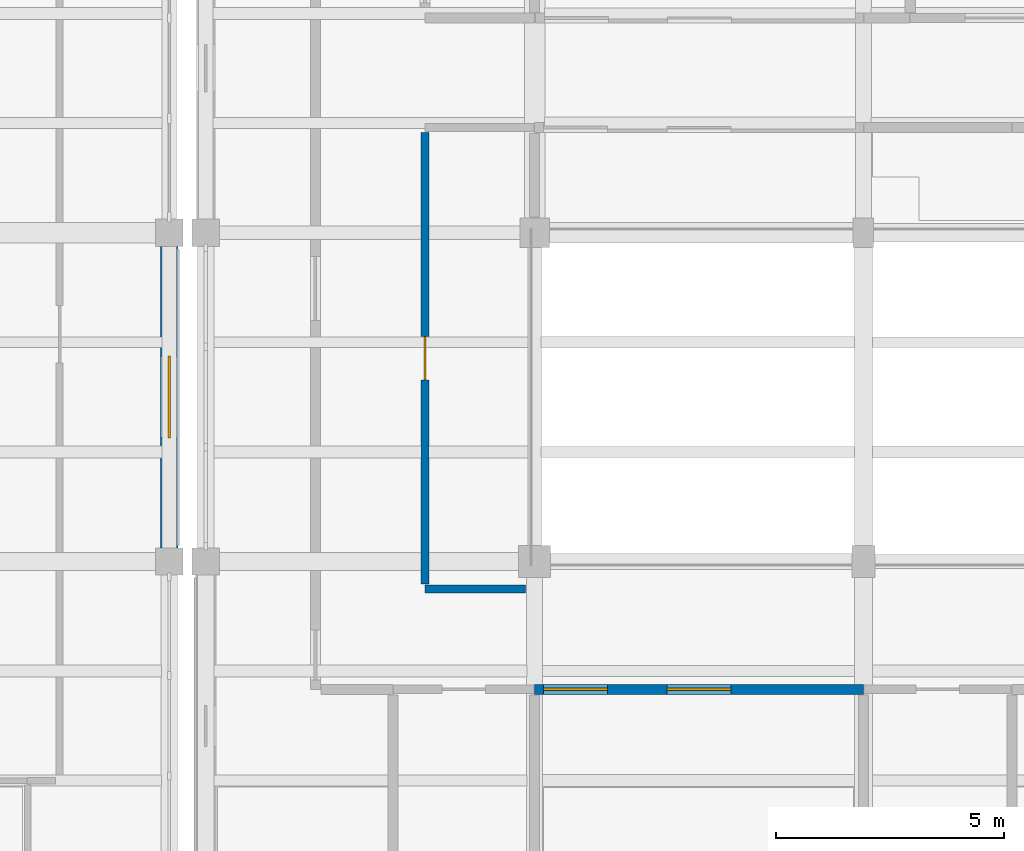
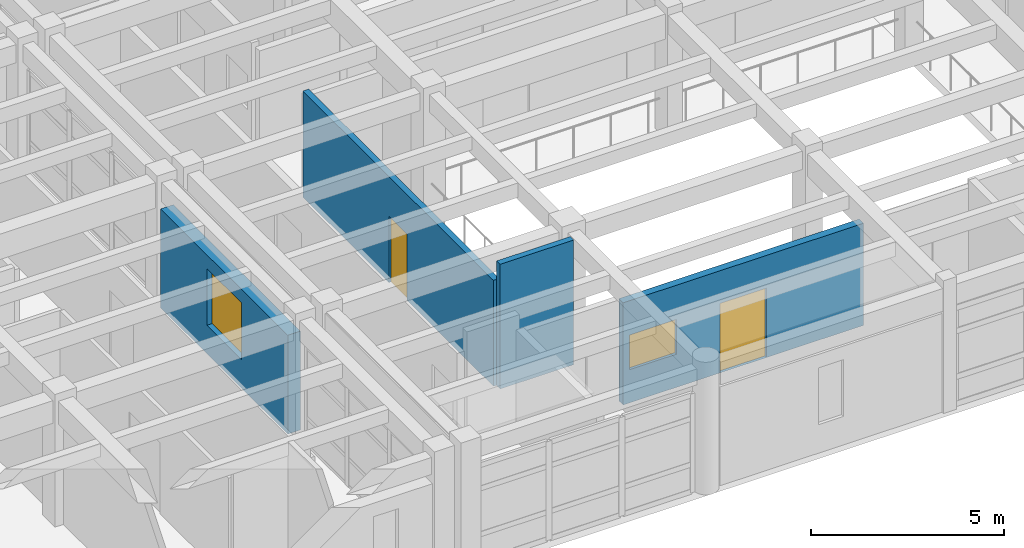
# One storey, part 82 of 110: 4 walls, 2 doors, 2 windows, 4 openings.
"""IFC4 building model written with IfcOpenShell, lengths in metres."""

from ifc_helpers import new_model, si_unit, direction, frame, frame_2d, origin, place, context, subcontext, project, spatial, rectangle, extrude, material, layer, layer_set, type_object, element, fill, save


model = new_model("IFC4")

# Units and contexts
model_context = context("Model", 3, precision=1e-05, world=origin(), true_north=direction((0.0, 1.0)))
body_context = subcontext(model_context, "Body", "Model", "MODEL_VIEW")
ifc_project = project(units=[si_unit("LENGTHUNIT", "METRE"), si_unit("AREAUNIT", "SQUARE_METRE"), si_unit("VOLUMEUNIT", "CUBIC_METRE"), si_unit("PLANEANGLEUNIT", "RADIAN"), si_unit("MASSUNIT", "GRAM", prefix="KILO")], contexts=[model_context])

# Site, building, storey
site_placement = place(None, origin())
site = spatial("IfcSite", under=ifc_project, at=site_placement, CompositionType="ELEMENT")
building_placement = place(site_placement, origin())
building = spatial("IfcBuilding", under=site, at=building_placement, Name="Steenspoor Specialist Clinic", CompositionType="ELEMENT")
storey_placement = place(building_placement, frame((0.0, 0.0, 4.800048828125)))
storey = spatial("IfcBuildingStorey", under=building, at=storey_placement, Name="L01", CompositionType="ELEMENT", Elevation=4.800048828125)

# Wall, opening, window
ifc_material_1 = material(Name="Extruded clay brick masonry", Category="masonry")
ifc_layer_1 = layer(ifc_material_1, 0.3798828125)
ifc_layer_set_1 = layer_set([ifc_layer_1], Name="Extruded clay brick masonry")
wall_type_1 = type_object("IfcWallType", Name="W-BRICK-380", PredefinedType="USERDEFINED", material=ifc_layer_set_1)
wall_1_placement = place(storey_placement, frame((117.199951171875, 79.25, 0.0), z_axis=(0.0, 0.0, 1.0), x_axis=(0.0, -1.0, 0.0)))
wall_1 = element("IfcWall", 1, at=wall_1_placement, inside=storey, type_object=wall_type_1, Name="Exterior Brick Wall EW-V4-L01-0129", ObjectType="CAVITY VENEER", PredefinedType="USERDEFINED", context=body_context, shape_type="SweptSolid", body=[
    extrude(rectangle(XDim=6.60009765625, YDim=0.3798828125, at=frame_2d((3.300048828125, 0.0))), origin(), (0.0, 0.0, 1.0), 3.1298828125),
])
opening_1_placement = place(wall_1_placement, frame((2.39990234375, 0.0, 0.89990234375)))
opening_1 = element("IfcOpeningElement", 2, at=opening_1_placement, cuts=wall_1, Name="Opening WN-08", PredefinedType="OPENING", context=body_context, shape_type="SweptSolid", body=[
    extrude(rectangle(XDim=1.800048828125, YDim=1.800048828125, at=frame_2d((0.89990234375, 0.89990234375))), frame((0.0, 0.199951171875, 0.0), z_axis=(0.0, -1.0, 0.0), x_axis=(1.0, 0.0, 0.0)), (0.0, 0.0, 1.0), 0.39990234375),
])
ifc_material_2 = material(Name="Thermally broken aluminium and low-emissivity glass", Category="aluminium")
window_type_1 = type_object("IfcWindowType", Name="WN-EXT-180X180", PartitioningType="SINGLE_PANEL", PredefinedType="WINDOW", material=ifc_material_2)
window_1_placement = place(opening_1_placement, origin())
window_1 = element("IfcWindow", 3, at=window_1_placement, inside=storey, type_object=window_type_1, Name="Window 0151", OverallHeight=1.800048828125, OverallWidth=1.800048828125, PartitioningType="SINGLE_PANEL", PredefinedType="WINDOW", context=body_context, shape_type="SweptSolid", body=[
    extrude(rectangle(XDim=1.800048828125, YDim=1.800048828125, at=frame_2d((0.89990234375, 0.89990234375))), frame((0.0, 0.030029296875, 0.0), z_axis=(0.0, -1.0, 0.0), x_axis=(1.0, 0.0, 0.0)), (0.0, 0.0, 1.0), 0.06005859375),
])
fill(opening_1, window_1)

# Wall, openings, door, window
ifc_material_3 = material(Name="Fire-rated clay blockwork masonry", Category="masonry")
ifc_layer_2 = layer(ifc_material_3, 0.219970703125)
ifc_layer_set_2 = layer_set([ifc_layer_2], Name="Fire-rated clay blockwork masonry")
wall_type_2 = type_object("IfcWallType", Name="W-FIRE-220", PredefinedType="PARTITIONING", material=ifc_layer_set_2)
wall_2_placement = place(storey_placement, frame((125.199951171875, 69.550048828125, 0.0), z_axis=(0.0, 0.0, 1.0), x_axis=(1.0, 0.0, 0.0)))
wall_2 = element("IfcWall", 4, at=wall_2_placement, inside=storey, type_object=wall_type_2, Name="Interior Partition IW-V6-L01-0700", PredefinedType="PARTITIONING", context=body_context, shape_type="SweptSolid", body=[
    extrude(rectangle(XDim=7.199951171875, YDim=0.219970703125, at=frame_2d((3.60009765625, 0.0))), origin(), (0.0, 0.0, 1.0), 3.23486328125),
])
opening_2_placement = place(wall_2_placement, frame((2.89990234375, 0.0, 0.0)))
opening_2 = element("IfcOpeningElement", 5, at=opening_2_placement, cuts=wall_2, Name="Opening D0429", PredefinedType="OPENING", context=body_context, shape_type="SweptSolid", body=[
    extrude(rectangle(XDim=1.39990234375, YDim=2.199951171875, at=frame_2d((0.699951171875, 1.10009765625))), frame((0.0, 0.1201171875, 0.0), z_axis=(0.0, -1.0, 0.0), x_axis=(1.0, 0.0, 0.0)), (0.0, 0.0, 1.0), 0.239990234375),
])
opening_3_placement = place(wall_2_placement, frame((0.199951171875, 0.0, 1.050048828125)))
opening_3 = element("IfcOpeningElement", 6, at=opening_3_placement, cuts=wall_2, Name="Opening IWN-01", PredefinedType="OPENING", context=body_context, shape_type="SweptSolid", body=[
    extrude(rectangle(XDim=1.39990234375, YDim=1.10009765625, at=frame_2d((0.699951171875, 0.550048828125))), frame((0.0, 0.1201171875, 0.0), z_axis=(0.0, -1.0, 0.0), x_axis=(1.0, 0.0, 0.0)), (0.0, 0.0, 1.0), 0.239990234375),
])
ifc_material_4 = material(Name="Fire-rated clinical laminate door", Category="steel")
door_type_1 = type_object("IfcDoorType", Name="DT-LAB-140X220", OperationType="NOTDEFINED", PredefinedType="DOOR", material=ifc_material_4)
door_1_placement = place(opening_2_placement, origin())
door_1 = element("IfcDoor", 7, at=door_1_placement, inside=storey, type_object=door_type_1, Name="Clinical Door D0429", OperationType="SINGLE_SWING_RIGHT", OverallHeight=2.199951171875, OverallWidth=1.39990234375, PredefinedType="DOOR", context=body_context, shape_type="SweptSolid", body=[
    extrude(rectangle(XDim=1.39990234375, YDim=2.199951171875, at=frame_2d((0.699951171875, 1.10009765625))), frame((0.0, 0.02490234375, 0.0), z_axis=(0.0, -1.0, 0.0), x_axis=(1.0, 0.0, 0.0)), (0.0, 0.0, 1.0), 0.050048828125),
])
fill(opening_2, door_1)
window_type_2 = type_object("IfcWindowType", Name="IWND-OBS-140X110", PartitioningType="SINGLE_PANEL", PredefinedType="WINDOW", material=ifc_material_2)
window_2_placement = place(opening_3_placement, origin())
window_2 = element("IfcWindow", 8, at=window_2_placement, inside=storey, type_object=window_type_2, Name="Observation Window 011", OverallHeight=1.10009765625, OverallWidth=1.39990234375, PartitioningType="SINGLE_PANEL", PredefinedType="WINDOW", context=body_context, shape_type="SweptSolid", body=[
    extrude(rectangle(XDim=1.39990234375, YDim=1.10009765625, at=frame_2d((0.699951171875, 0.550048828125))), frame((0.0, 0.030029296875, 0.0), z_axis=(0.0, -1.0, 0.0), x_axis=(1.0, 0.0, 0.0)), (0.0, 0.0, 1.0), 0.06005859375),
])
fill(opening_3, window_2)

# Wall
ifc_material_5 = material(Name="Moisture-resistant gypsum plumbing wall", Category="gypsum")
ifc_layer_3 = layer(ifc_material_5, 0.179931640625)
ifc_layer_set_3 = layer_set([ifc_layer_3], Name="Moisture-resistant gypsum plumbing wall")
wall_type_3 = type_object("IfcWallType", Name="W-PLUMB-180", PredefinedType="PLUMBINGWALL", material=ifc_layer_set_3)
wall_3_placement = place(storey_placement, frame((122.800048828125, 71.75, 0.0), z_axis=(0.0, 0.0, 1.0), x_axis=(1.0, 0.0, 0.0)))
element("IfcWall", 9, at=wall_3_placement, inside=storey, type_object=wall_type_3, Name="Interior Partition IW-V6-L01-0787", PredefinedType="PLUMBINGWALL", context=body_context, shape_type="SweptSolid", body=[
    extrude(rectangle(XDim=2.199951171875, YDim=0.179931640625, at=frame_2d((1.10009765625, 0.0))), origin(), (0.0, 0.0, 1.0), 3.949951171875),
])

# Wall, opening, door
wall_4_placement = place(storey_placement, frame((122.800048828125, 71.85498046875, 0.0), z_axis=(0.0, 0.0, 1.0), x_axis=(0.0, 1.0, 0.0)))
wall_4 = element("IfcWall", 10, at=wall_4_placement, inside=storey, type_object=wall_type_3, Name="Interior Partition IW-V6-L01-0788", PredefinedType="PLUMBINGWALL", context=body_context, shape_type="SweptSolid", body=[
    extrude(rectangle(XDim=9.89013671875, YDim=0.179931640625, at=frame_2d((4.945068359375, 0.0))), origin(), (0.0, 0.0, 1.0), 3.35498046875),
])
opening_4_placement = place(wall_4_placement, frame((4.469970703125, 0.0, 0.0)))
opening_4 = element("IfcOpeningElement", 11, at=opening_4_placement, cuts=wall_4, Name="Opening D0436", PredefinedType="OPENING", context=body_context, shape_type="SweptSolid", body=[
    extrude(rectangle(XDim=0.949951171875, YDim=2.10009765625, at=frame_2d((0.47509765625, 1.050048828125))), frame((0.0, 0.10009765625, 0.0), z_axis=(0.0, -1.0, 0.0), x_axis=(1.0, 0.0, 0.0)), (0.0, 0.0, 1.0), 0.199951171875),
])
ifc_material_6 = material(Name="Moisture-resistant HPL sanitary door", Category="wood")
door_type_2 = type_object("IfcDoorType", Name="DT-WC-095X210", OperationType="NOTDEFINED", PredefinedType="DOOR", material=ifc_material_6)
door_2_placement = place(opening_4_placement, origin())
door_2 = element("IfcDoor", 12, at=door_2_placement, inside=storey, type_object=door_type_2, Name="Clinical Door D0436", OperationType="SINGLE_SWING_LEFT", OverallHeight=2.10009765625, OverallWidth=0.949951171875, PredefinedType="DOOR", context=body_context, shape_type="SweptSolid", body=[
    extrude(rectangle(XDim=0.949951171875, YDim=2.10009765625, at=frame_2d((0.47509765625, 1.050048828125))), frame((0.0, 0.02490234375, 0.0), z_axis=(0.0, -1.0, 0.0), x_axis=(1.0, 0.0, 0.0)), (0.0, 0.0, 1.0), 0.050048828125),
])
fill(opening_4, door_2)

save(model, "model.ifc")
